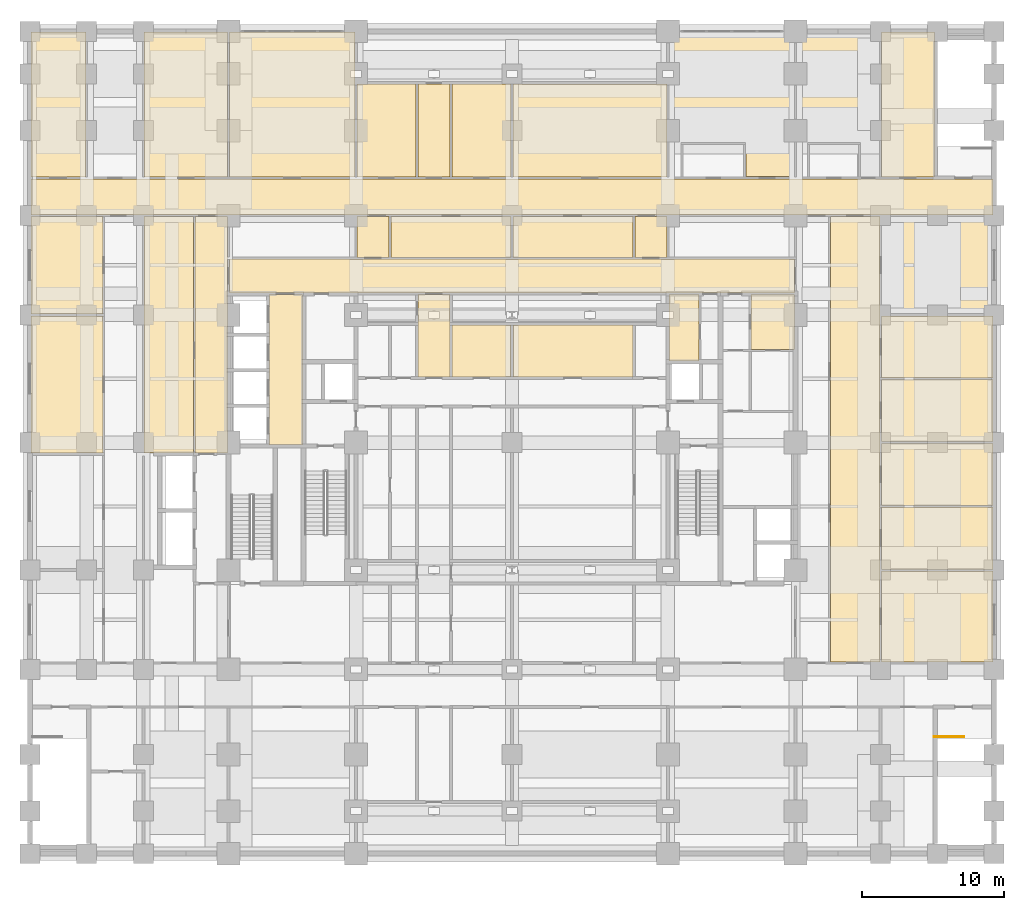
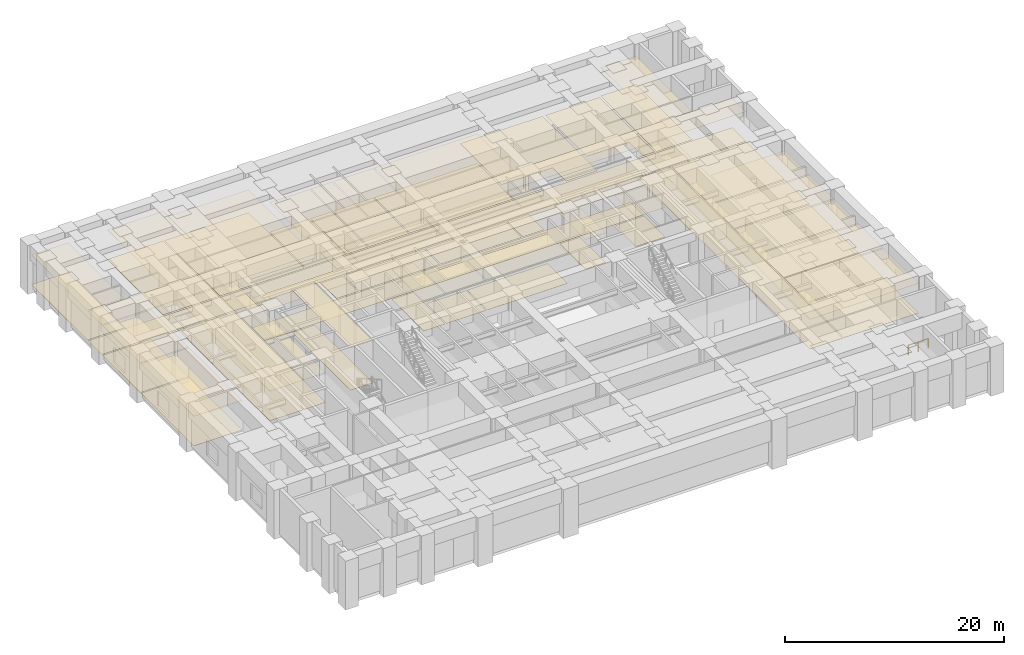
# One storey, part 21 of 22: 63 coverings, 1 railing.
"""IFC4 building model written with IfcOpenShell, lengths in metres."""

import ifcopenshell
import ifcopenshell.guid

model = None  # the IFC model being written
_history = None  # IfcOwnerHistory: only IFC2X3 demands one
_inside = {}  # id of a spatial element -> (the spatial element, [elements in it])
_under = {}  # id of a project, library or spatial element -> (it, [spatial elements below it])
_declared = {}  # id of a project -> (the project, [libraries it declares])
_typed = {}  # id of a type object -> (the type object, [elements of that type])
_made_of = {}  # id of a material, layer set ... -> (it, [elements and type objects made of it])


def new_model(schema):
    """Start an empty IFC model of exactly this schema.

    Asked for "IFC4X3", IfcOpenShell would pick the latest addendum, in which some entities
    have other attributes; the version numbers below select the first issue.
    IFC2X3 requires an IfcOwnerHistory on every rooted entity: one is made here for all.
    """
    global model, _history
    if schema == "IFC4X3":
        model = ifcopenshell.file(schema_version=(4, 3, 0, 0))
    else:
        model = ifcopenshell.file(schema=schema)
    _inside.clear()
    _under.clear()
    _declared.clear()
    _typed.clear()
    _made_of.clear()
    _history = None
    if model.schema == "IFC2X3":
        org = make("IfcOrganization", Name="unknown")
        user = make(
            "IfcPersonAndOrganization",
            ThePerson=make("IfcPerson", FamilyName="unknown"),
            TheOrganization=org,
        )
        app = make(
            "IfcApplication",
            ApplicationDeveloper=org,
            Version="unknown",
            ApplicationFullName="unknown",
            ApplicationIdentifier="unknown",
        )
        _history = make(
            "IfcOwnerHistory",
            OwningUser=user,
            OwningApplication=app,
            ChangeAction="ADDED",
            CreationDate=0,
        )
    return model


def make(cls, **values):
    """One entity of the class cls with the attributes given. An attribute that is None is left unset."""
    return model.create_entity(
        cls, **{name: value for name, value in values.items() if value is not None}
    )


def rooted(cls, **values):
    """An entity with a GlobalId (a new one), such as an element, a storey or a relation."""
    return make(cls, GlobalId=ifcopenshell.guid.new(), OwnerHistory=_history, **values)


def si_unit(unit_type, name, prefix=None):
    """IfcSIUnit, for example si_unit("LENGTHUNIT", "METRE", prefix="MILLI")."""
    return make("IfcSIUnit", UnitType=unit_type, Prefix=prefix, Name=name)


def assignment(units):
    """IfcUnitAssignment: the units of a project."""
    return None if units is None else make("IfcUnitAssignment", Units=units)


def point(xyz):
    """IfcCartesianPoint."""
    return None if xyz is None else make("IfcCartesianPoint", Coordinates=xyz)


def direction(xyz):
    """IfcDirection."""
    return None if xyz is None else make("IfcDirection", DirectionRatios=xyz)


def frame(location, z_axis=None, x_axis=None):
    """IfcAxis2Placement3D, a coordinate frame: its origin and axes. An axis left out is left unset."""
    return make(
        "IfcAxis2Placement3D",
        Location=point(location),
        Axis=direction(z_axis),
        RefDirection=direction(x_axis),
    )


def frame_2d(location, x_axis=None):
    """IfcAxis2Placement2D, a coordinate frame in the plane: its origin and x axis."""
    return make(
        "IfcAxis2Placement2D", Location=point(location), RefDirection=direction(x_axis)
    )


def origin():
    """The frame at (0, 0, 0) with its axes left unset."""
    return frame((0.0, 0.0, 0.0))


def origin_2d():
    """The frame at (0, 0) in the plane with its x axis left unset."""
    return frame_2d((0.0, 0.0))


def place(relative_to, where):
    """IfcLocalPlacement: puts the frame where relative to a parent placement (None: the world)."""
    return make(
        "IfcLocalPlacement", PlacementRelTo=relative_to, RelativePlacement=where
    )


def context(
    kind, dimensions, precision=None, world=None, true_north=None, identifier=None
):
    """IfcGeometricRepresentationContext, for example the 3D "Model" context."""
    return make(
        "IfcGeometricRepresentationContext",
        ContextIdentifier=identifier,
        ContextType=kind,
        CoordinateSpaceDimension=dimensions,
        Precision=precision,
        WorldCoordinateSystem=world,
        TrueNorth=true_north,
    )


def subcontext(parent, identifier, kind, view, scale=None):
    """IfcGeometricRepresentationSubContext, for example "Body" below "Model"."""
    return make(
        "IfcGeometricRepresentationSubContext",
        ContextIdentifier=identifier,
        ContextType=kind,
        ParentContext=parent,
        TargetScale=scale,
        TargetView=view,
    )


def project(units=None, contexts=None):
    """IfcProject with its units and contexts."""
    return rooted(
        "IfcProject",
        Name="project",
        RepresentationContexts=contexts,
        UnitsInContext=assignment(units),
    )


def spatial(cls, under=None, at=None, **own):
    """A site, building, storey or space (cls), placed at a placement, below another one or the project."""
    s = rooted(cls, ObjectPlacement=at, **own)
    if under is not None:
        _under.setdefault(under.id(), (under, []))[1].append(s)
    return s


def polyline(points):
    """IfcPolyline through the points."""
    return make("IfcPolyline", Points=[point(p) for p in points])


def profile(cls, at=None, kind="AREA", **sizes):
    """A parametric profile (cls). Its sizes go by their IFC names, for example OverallWidth=200.0."""
    return make(cls, ProfileType=kind, Position=at, **sizes)


def rectangle(**sizes):
    """IfcRectangleProfileDef."""
    return profile("IfcRectangleProfileDef", **sizes)


def outline(outer, holes=None, kind="AREA"):
    """IfcArbitraryClosedProfileDef: a profile drawn as a closed curve; with holes, ...WithVoids."""
    if holes is None:
        return make("IfcArbitraryClosedProfileDef", ProfileType=kind, OuterCurve=outer)
    return make(
        "IfcArbitraryProfileDefWithVoids",
        ProfileType=kind,
        OuterCurve=outer,
        InnerCurves=holes,
    )


def extrude(swept, where, along, depth):
    """IfcExtrudedAreaSolid: the profile swept, set in the frame where, extruded along a direction by depth."""
    return make(
        "IfcExtrudedAreaSolid",
        SweptArea=swept,
        Position=where,
        ExtrudedDirection=direction(along),
        Depth=depth,
    )


def shape(context_of_items, identifier, shape_type, items):
    """IfcShapeRepresentation: the items that make up one representation, for example the "Body"."""
    return make(
        "IfcShapeRepresentation",
        ContextOfItems=context_of_items,
        RepresentationIdentifier=identifier,
        RepresentationType=shape_type,
        Items=items,
    )


def material(Name=None, Category=None):
    """IfcMaterial."""
    return make("IfcMaterial", Name=Name, Category=Category)


def layer(
    of_material, thickness, ventilated=None, Name=None, Category=None, Priority=None
):
    """IfcMaterialLayer: one layer of a wall or slab, of a material (None: an air gap)."""
    return make(
        "IfcMaterialLayer",
        Material=of_material,
        LayerThickness=thickness,
        IsVentilated=ventilated,
        Name=Name,
        Category=Category,
        Priority=Priority,
    )


def layer_set(layers, Name=None):
    """IfcMaterialLayerSet."""
    return make("IfcMaterialLayerSet", MaterialLayers=layers, LayerSetName=Name)


def made_of(thing, what):
    """Note that an element or type object is made of a material, layer set ...; save() writes the relation."""
    if what is not None:
        _made_of.setdefault(what.id(), (what, []))[1].append(thing)
    return thing


def type_object(cls, material=None, **own):
    """A type object (cls), such as IfcWallType, which elements share."""
    return made_of(rooted(cls, **own), material)


def element(
    cls,
    number,
    at=None,
    inside=None,
    cuts=None,
    type_object=None,
    material=None,
    context=None,
    identifier="Body",
    shape_type=None,
    held_by="IfcProductDefinitionShape",
    body=None,
    shapes=None,
    **own,
):
    """One element of the class cls, such as IfcWall. Its Tag is "e" and its number.

    at: its placement. inside: the storey or other place that contains it. cuts: it is an
    opening in that element (IfcRelVoidsElement). A single representation is given by context,
    identifier, shape_type and body (its items); several are given by shapes. held_by: the class
    of the entity that holds the representations. save() writes the other relations.
    """
    e = rooted(cls, Tag="e%d" % number, ObjectPlacement=at, **own)
    if body is not None:
        shapes = [shape(context, identifier, shape_type, body)]
    if shapes is not None:
        e.Representation = make(held_by, Representations=shapes)
    if inside is not None:
        _inside.setdefault(inside.id(), (inside, []))[1].append(e)
    if cuts is not None:
        rooted(
            "IfcRelVoidsElement", RelatingBuildingElement=cuts, RelatedOpeningElement=e
        )
    if type_object is not None:
        _typed.setdefault(type_object.id(), (type_object, []))[1].append(e)
    return made_of(e, material)


def aggregate(whole, parts):
    """IfcRelAggregates: a whole, such as a stair, and the parts it consists of."""
    return rooted("IfcRelAggregates", RelatingObject=whole, RelatedObjects=parts)


def save(model, path):
    """Write the relations noted so far, then the file.

    IfcRelAggregates (storeys below a building ...), IfcRelContainedInSpatialStructure (elements
    in a storey), IfcRelDefinesByType, IfcRelAssociatesMaterial and IfcRelDeclares: one each for
    every whole, place, type object, material and project.
    """
    for whole, parts in _under.values():
        aggregate(whole, parts)
    for where, things in _inside.values():
        rooted(
            "IfcRelContainedInSpatialStructure",
            RelatedElements=things,
            RelatingStructure=where,
        )
    for kind, things in _typed.values():
        rooted("IfcRelDefinesByType", RelatedObjects=things, RelatingType=kind)
    for what, things in _made_of.values():
        rooted("IfcRelAssociatesMaterial", RelatedObjects=things, RelatingMaterial=what)
    for by, libraries in _declared.values():
        rooted("IfcRelDeclares", RelatingContext=by, RelatedDefinitions=libraries)
    model.write(path)


model = new_model("IFC4")

# Units and contexts
model_context = context("Model", 3, precision=1e-05, world=origin(), true_north=direction((0.0, 1.0)))
body_context = subcontext(model_context, "Body", "Model", "MODEL_VIEW")
ifc_project = project(units=[si_unit("LENGTHUNIT", "METRE"), si_unit("AREAUNIT", "SQUARE_METRE"), si_unit("VOLUMEUNIT", "CUBIC_METRE"), si_unit("PLANEANGLEUNIT", "RADIAN"), si_unit("MASSUNIT", "GRAM", prefix="KILO")], contexts=[model_context])

# Site, building, storey
site_placement = place(None, origin())
site = spatial("IfcSite", under=ifc_project, at=site_placement, CompositionType="ELEMENT")
building_placement = place(site_placement, origin())
building = spatial("IfcBuilding", under=site, at=building_placement, Name="Zulmaris Gate Convention Tower", CompositionType="ELEMENT")
storey_placement = place(building_placement, frame((0.0, 0.0, 21.760009765625)))
storey = spatial("IfcBuildingStorey", under=building, at=storey_placement, Name="L04", CompositionType="ELEMENT", Elevation=21.760009765625)

# Coverings
ifc_material_1 = material(Name="Mineral Fibre Acoustic Ceiling Tile")
ifc_layer_1 = layer(ifc_material_1, 0.02001953125, Name="Mineral Fibre Acoustic Ceiling Tile")
ifc_layer_set_1 = layer_set([ifc_layer_1], Name="Mineral Fibre Acoustic Ceiling Tile")
covering_type_1 = type_object("IfcCoveringType", Name="CLG-ACOUSTIC-600", PredefinedType="CEILING", material=ifc_layer_set_1)
covering_1_placement = place(storey_placement, frame((0.0, 0.0, 3.300048828125)))
element("IfcCovering", 1, at=covering_1_placement, inside=storey, type_object=covering_type_1, Name="CLG-L04-R12", PredefinedType="CEILING", context=body_context, shape_type="SweptSolid", body=[
    extrude(outline(polyline([(11.06005859375, 5.760009765625), (13.18994140625, 5.760009765625), (13.18994140625, 10.43994140625), (11.06005859375, 10.43994140625), (11.06005859375, 5.760009765625)])), origin(), (0.0, 0.0, 1.0), 0.02001953125),
])
covering_2_placement = place(storey_placement, frame((0.0, 0.0, 4.7099609375)))
element("IfcCovering", 2, at=covering_2_placement, inside=storey, type_object=covering_type_1, Name="CLG-L04-R16", PredefinedType="CEILING", context=body_context, shape_type="SweptSolid", body=[
    extrude(outline(polyline([(-17.139892578125, -0.18994140625), (-14.760009765625, -0.18994140625), (-14.760009765625, 10.43994140625), (-17.139892578125, 10.43994140625), (-17.139892578125, -0.18994140625)])), origin(), (0.0, 0.0, 1.0), 0.02001953125),
])
covering_3_placement = place(storey_placement, frame((0.0, 0.0, 3.300048828125)))
element("IfcCovering", 3, at=covering_3_placement, inside=storey, type_object=covering_type_1, Name="CLG-L04-R27", PredefinedType="CEILING", context=body_context, shape_type="SweptSolid", body=[
    extrude(outline(polyline([(16.860107421875, 6.56005859375), (19.93994140625, 6.56005859375), (19.93994140625, 10.43994140625), (16.860107421875, 10.43994140625), (16.860107421875, 6.56005859375)])), origin(), (0.0, 0.0, 1.0), 0.02001953125),
])
covering_4_placement = place(storey_placement, frame((0.0, 0.0, 3.300048828125)))
element("IfcCovering", 4, at=covering_4_placement, inside=storey, type_object=covering_type_1, Name="CLG-L04-R40", PredefinedType="CEILING", context=body_context, shape_type="SweptSolid", body=[
    extrude(outline(polyline([(-10.93994140625, 13.06005859375), (-8.659912109375, 13.06005859375), (-8.659912109375, 15.93994140625), (-10.93994140625, 15.93994140625), (-10.93994140625, 13.06005859375)])), origin(), (0.0, 0.0, 1.0), 0.02001953125),
])
covering_5_placement = place(storey_placement, frame((0.0, 0.0, 3.300048828125)))
element("IfcCovering", 5, at=covering_5_placement, inside=storey, type_object=covering_type_1, Name="CLG-L04-R41", PredefinedType="CEILING", context=body_context, shape_type="SweptSolid", body=[
    extrude(outline(polyline([(8.659912109375, 13.06005859375), (10.93994140625, 13.06005859375), (10.93994140625, 15.93994140625), (8.659912109375, 15.93994140625), (8.659912109375, 13.06005859375)])), origin(), (0.0, 0.0, 1.0), 0.02001953125),
])
covering_6_placement = place(storey_placement, frame((0.0, 0.0, 3.300048828125)))
element("IfcCovering", 6, at=covering_6_placement, inside=storey, type_object=covering_type_1, Name="CLG-L04-R42", PredefinedType="CEILING", context=body_context, shape_type="SweptSolid", body=[
    extrude(outline(polyline([(-33.93994140625, 16.06005859375), (33.93994140625, 16.06005859375), (33.93994140625, 18.590087890625), (-33.93994140625, 18.590087890625), (-33.93994140625, 16.06005859375)])), origin(), (0.0, 0.0, 1.0), 0.02001953125),
])
covering_7_placement = place(storey_placement, frame((0.0, 0.0, 3.300048828125)))
element("IfcCovering", 7, at=covering_7_placement, inside=storey, type_object=covering_type_1, Name="CLG-L04-R43", PredefinedType="CEILING", context=body_context, shape_type="SweptSolid", body=[
    extrude(outline(polyline([(-19.93994140625, 10.56005859375), (19.93994140625, 10.56005859375), (19.93994140625, 12.93994140625), (-19.93994140625, 12.93994140625), (-19.93994140625, 10.56005859375)])), origin(), (0.0, 0.0, 1.0), 0.02001953125),
])
covering_8_placement = place(storey_placement, frame((0.0, 0.0, 3.300048828125)))
element("IfcCovering", 8, at=covering_8_placement, inside=storey, type_object=covering_type_1, Name="CLG-L04-R44", PredefinedType="CEILING", context=body_context, shape_type="SweptSolid", body=[
    extrude(outline(polyline([(-22.340087890625, -0.739990234375), (-20.06005859375, -0.739990234375), (-20.06005859375, 15.93994140625), (-22.340087890625, 15.93994140625), (-22.340087890625, -0.739990234375)])), origin(), (0.0, 0.0, 1.0), 0.02001953125),
])
covering_9_placement = place(storey_placement, frame((0.0, 0.0, 3.300048828125)))
element("IfcCovering", 9, at=covering_9_placement, inside=storey, type_object=covering_type_1, Name="CLG-L04-R45", PredefinedType="CEILING", context=body_context, shape_type="SweptSolid", body=[
    extrude(outline(polyline([(-25.93994140625, -0.739990234375), (-22.4599609375, -0.739990234375), (-22.4599609375, 15.93994140625), (-25.93994140625, 15.93994140625), (-25.93994140625, -0.739990234375)])), origin(), (0.0, 0.0, 1.0), 0.02001953125),
])
covering_10_placement = place(storey_placement, frame((0.0, 0.0, 3.300048828125)))
element("IfcCovering", 10, at=covering_10_placement, inside=storey, type_object=covering_type_1, Name="CLG-L04-R52", PredefinedType="CEILING", context=body_context, shape_type="SweptSolid", body=[
    extrude(outline(polyline([(-8.5400390625, 13.06005859375), (-0.06005859375, 13.06005859375), (-0.06005859375, 15.93994140625), (-8.5400390625, 15.93994140625), (-8.5400390625, 13.06005859375)])), origin(), (0.0, 0.0, 1.0), 0.02001953125),
])
covering_11_placement = place(storey_placement, frame((0.0, 0.0, 3.300048828125)))
element("IfcCovering", 11, at=covering_11_placement, inside=storey, type_object=covering_type_1, Name="CLG-L04-R53", PredefinedType="CEILING", context=body_context, shape_type="SweptSolid", body=[
    extrude(outline(polyline([(0.06005859375, 13.06005859375), (8.5400390625, 13.06005859375), (8.5400390625, 15.93994140625), (0.06005859375, 15.93994140625), (0.06005859375, 13.06005859375)])), origin(), (0.0, 0.0, 1.0), 0.02001953125),
])
covering_12_placement = place(storey_placement, frame((0.0, 0.0, 3.300048828125)))
element("IfcCovering", 12, at=covering_12_placement, inside=storey, type_object=covering_type_1, Name="CLG-L04-R54", PredefinedType="CEILING", context=body_context, shape_type="SweptSolid", body=[
    extrude(outline(polyline([(-6.639892578125, 18.7099609375), (-4.360107421875, 18.7099609375), (-4.360107421875, 25.2900390625), (-6.639892578125, 25.2900390625), (-6.639892578125, 18.7099609375)])), origin(), (0.0, 0.0, 1.0), 0.02001953125),
])
covering_13_placement = place(storey_placement, frame((0.0, 0.0, 3.300048828125)))
element("IfcCovering", 13, at=covering_13_placement, inside=storey, type_object=covering_type_1, Name="CLG-L04-R56", PredefinedType="CEILING", context=body_context, shape_type="SweptSolid", body=[
    extrude(outline(polyline([(-10.93994140625, 18.7099609375), (-6.760009765625, 18.7099609375), (-6.760009765625, 25.2900390625), (-10.93994140625, 25.2900390625), (-10.93994140625, 18.7099609375)])), origin(), (0.0, 0.0, 1.0), 0.02001953125),
])
covering_14_placement = place(storey_placement, frame((0.0, 0.0, 3.300048828125)))
element("IfcCovering", 14, at=covering_14_placement, inside=storey, type_object=covering_type_1, Name="CLG-L04-R57", PredefinedType="CEILING", context=body_context, shape_type="SweptSolid", body=[
    extrude(outline(polyline([(-4.239990234375, 18.7099609375), (-0.06005859375, 18.7099609375), (-0.06005859375, 25.2900390625), (-4.239990234375, 25.2900390625), (-4.239990234375, 18.7099609375)])), origin(), (0.0, 0.0, 1.0), 0.02001953125),
])
covering_15_placement = place(storey_placement, frame((0.0, 0.0, 3.300048828125)))
element("IfcCovering", 15, at=covering_15_placement, inside=storey, type_object=covering_type_1, Name="CLG-L04-R58", PredefinedType="CEILING", context=body_context, shape_type="SweptSolid", body=[
    extrude(outline(polyline([(0.06005859375, 18.7099609375), (10.93994140625, 18.7099609375), (10.93994140625, 25.2900390625), (0.06005859375, 25.2900390625), (0.06005859375, 18.7099609375)])), origin(), (0.0, 0.0, 1.0), 0.02001953125),
])
covering_16_placement = place(storey_placement, frame((0.0, 0.0, 3.300048828125)))
element("IfcCovering", 16, at=covering_16_placement, inside=storey, type_object=covering_type_1, Name="CLG-L04-R59", PredefinedType="CEILING", context=body_context, shape_type="SweptSolid", body=[
    extrude(outline(polyline([(-33.93994140625, 18.7099609375), (-30.06005859375, 18.7099609375), (-30.06005859375, 28.93994140625), (-33.93994140625, 28.93994140625), (-33.93994140625, 18.7099609375)])), origin(), (0.0, 0.0, 1.0), 0.02001953125),
])
covering_17_placement = place(storey_placement, frame((0.0, 0.0, 3.300048828125)))
element("IfcCovering", 17, at=covering_17_placement, inside=storey, type_object=covering_type_1, Name="CLG-L04-R61", PredefinedType="CEILING", context=body_context, shape_type="SweptSolid", body=[
    extrude(outline(polyline([(-25.93994140625, 18.7099609375), (-20.06005859375, 18.7099609375), (-20.06005859375, 28.93994140625), (-25.93994140625, 28.93994140625), (-25.93994140625, 18.7099609375)])), origin(), (0.0, 0.0, 1.0), 0.02001953125),
])
covering_18_placement = place(storey_placement, frame((0.0, 0.0, 2.550048828125)))
element("IfcCovering", 18, at=covering_18_placement, inside=storey, type_object=covering_type_1, Name="CLG-L04-R62", PredefinedType="CEILING", context=body_context, shape_type="SweptSolid", body=[
    extrude(outline(polyline([(-19.93994140625, 18.7099609375), (-11.06005859375, 18.7099609375), (-11.06005859375, 28.93994140625), (-19.93994140625, 28.93994140625), (-19.93994140625, 18.7099609375)])), origin(), (0.0, 0.0, 1.0), 0.02001953125),
])
covering_19_placement = place(storey_placement, frame((0.0, 0.0, 3.14990234375)))
element("IfcCovering", 19, at=covering_19_placement, inside=storey, type_object=covering_type_1, Name="CLG-L04-R63", PredefinedType="CEILING", context=body_context, shape_type="SweptSolid", body=[
    extrude(outline(polyline([(26.06005859375, 18.7099609375), (29.7900390625, 18.7099609375), (29.7900390625, 28.93994140625), (26.06005859375, 28.93994140625), (26.06005859375, 18.7099609375)])), origin(), (0.0, 0.0, 1.0), 0.02001953125),
])
covering_20_placement = place(storey_placement, frame((0.0, 0.0, 3.300048828125)))
element("IfcCovering", 20, at=covering_20_placement, inside=storey, type_object=covering_type_1, Name="CLG-L04-R71", PredefinedType="CEILING", context=body_context, shape_type="SweptSolid", body=[
    extrude(outline(polyline([(-33.93994140625, -0.739990234375), (-28.860107421875, -0.739990234375), (-28.860107421875, 8.93994140625), (-33.93994140625, 8.93994140625), (-33.93994140625, -0.739990234375)])), origin(), (0.0, 0.0, 1.0), 0.02001953125),
])
covering_21_placement = place(storey_placement, frame((0.0, 0.0, 3.300048828125)))
element("IfcCovering", 21, at=covering_21_placement, inside=storey, type_object=covering_type_1, Name="CLG-L04-R72", PredefinedType="CEILING", context=body_context, shape_type="SweptSolid", body=[
    extrude(outline(polyline([(-33.93994140625, 9.06005859375), (-28.860107421875, 9.06005859375), (-28.860107421875, 15.93994140625), (-33.93994140625, 15.93994140625), (-33.93994140625, 9.06005859375)])), origin(), (0.0, 0.0, 1.0), 0.02001953125),
])
covering_22_placement = place(storey_placement, frame((0.0, 0.0, 3.300048828125)))
element("IfcCovering", 22, at=covering_22_placement, inside=storey, type_object=covering_type_1, Name="CLG-L04-R73", PredefinedType="CEILING", context=body_context, shape_type="SweptSolid", body=[
    extrude(outline(polyline([(22.4599609375, -15.489990234375), (25.93994140625, -15.489990234375), (25.93994140625, 15.93994140625), (22.4599609375, 15.93994140625), (22.4599609375, -15.489990234375)])), origin(), (0.0, 0.0, 1.0), 0.02001953125),
])
covering_23_placement = place(storey_placement, frame((0.0, 0.0, 3.300048828125)))
element("IfcCovering", 23, at=covering_23_placement, inside=storey, type_object=covering_type_1, Name="CLG-L04-R74", PredefinedType="CEILING", context=body_context, shape_type="SweptSolid", body=[
    extrude(outline(polyline([(26.06005859375, -15.489990234375), (33.93994140625, -15.489990234375), (33.93994140625, -9.06005859375), (26.06005859375, -9.06005859375), (26.06005859375, -15.489990234375)])), origin(), (0.0, 0.0, 1.0), 0.02001953125),
])
covering_24_placement = place(storey_placement, frame((0.0, 0.0, 3.300048828125)))
element("IfcCovering", 24, at=covering_24_placement, inside=storey, type_object=covering_type_1, Name="CLG-L04-R75", PredefinedType="CEILING", context=body_context, shape_type="SweptSolid", body=[
    extrude(outline(polyline([(26.06005859375, -8.93994140625), (33.93994140625, -8.93994140625), (33.93994140625, -4.56005859375), (26.06005859375, -4.56005859375), (26.06005859375, -8.93994140625)])), origin(), (0.0, 0.0, 1.0), 0.02001953125),
])
covering_25_placement = place(storey_placement, frame((0.0, 0.0, 3.300048828125)))
element("IfcCovering", 25, at=covering_25_placement, inside=storey, type_object=covering_type_1, Name="CLG-L04-R76", PredefinedType="CEILING", context=body_context, shape_type="SweptSolid", body=[
    extrude(outline(polyline([(26.06005859375, -4.43994140625), (33.93994140625, -4.43994140625), (33.93994140625, -0.06005859375), (26.06005859375, -0.06005859375), (26.06005859375, -4.43994140625)])), origin(), (0.0, 0.0, 1.0), 0.02001953125),
])
covering_26_placement = place(storey_placement, frame((0.0, 0.0, 3.300048828125)))
element("IfcCovering", 26, at=covering_26_placement, inside=storey, type_object=covering_type_1, Name="CLG-L04-R77", PredefinedType="CEILING", context=body_context, shape_type="SweptSolid", body=[
    extrude(outline(polyline([(26.06005859375, 0.06005859375), (33.93994140625, 0.06005859375), (33.93994140625, 4.43994140625), (26.06005859375, 4.43994140625), (26.06005859375, 0.06005859375)])), origin(), (0.0, 0.0, 1.0), 0.02001953125),
])
covering_27_placement = place(storey_placement, frame((0.0, 0.0, 3.300048828125)))
element("IfcCovering", 27, at=covering_27_placement, inside=storey, type_object=covering_type_1, Name="CLG-L04-R78", PredefinedType="CEILING", context=body_context, shape_type="SweptSolid", body=[
    extrude(outline(polyline([(26.06005859375, 4.56005859375), (33.93994140625, 4.56005859375), (33.93994140625, 8.93994140625), (26.06005859375, 8.93994140625), (26.06005859375, 4.56005859375)])), origin(), (0.0, 0.0, 1.0), 0.02001953125),
])
covering_28_placement = place(storey_placement, frame((0.0, 0.0, 3.300048828125)))
element("IfcCovering", 28, at=covering_28_placement, inside=storey, type_object=covering_type_1, Name="CLG-L04-R93", PredefinedType="CEILING", context=body_context, shape_type="SweptSolid", body=[
    extrude(outline(polyline([(-6.639892578125, 4.610107421875), (-4.360107421875, 4.610107421875), (-4.360107421875, 10.43994140625), (-6.639892578125, 10.43994140625), (-6.639892578125, 4.610107421875)])), origin(), (0.0, 0.0, 1.0), 0.02001953125),
])
covering_29_placement = place(storey_placement, frame((0.0, 0.0, 3.300048828125)))
element("IfcCovering", 29, at=covering_29_placement, inside=storey, type_object=covering_type_1, Name="CLG-L04-R104", PredefinedType="CEILING", context=body_context, shape_type="SweptSolid", body=[
    extrude(outline(polyline([(-4.239990234375, 4.610107421875), (-0.06005859375, 4.610107421875), (-0.06005859375, 8.2900390625), (-4.239990234375, 8.2900390625), (-4.239990234375, 4.610107421875)])), origin(), (0.0, 0.0, 1.0), 0.02001953125),
])
covering_30_placement = place(storey_placement, frame((0.0, 0.0, 3.300048828125)))
element("IfcCovering", 30, at=covering_30_placement, inside=storey, type_object=covering_type_1, Name="CLG-L04-R105", PredefinedType="CEILING", context=body_context, shape_type="SweptSolid", body=[
    extrude(outline(polyline([(0.06005859375, 4.610107421875), (8.5400390625, 4.610107421875), (8.5400390625, 8.2900390625), (0.06005859375, 8.2900390625), (0.06005859375, 4.610107421875)])), origin(), (0.0, 0.0, 1.0), 0.02001953125),
])
ifc_material_2 = material(Name="Woven Acoustic Wool Carpet Tile")
ifc_layer_2 = layer(ifc_material_2, 0.02001953125, Name="Woven Acoustic Wool Carpet Tile")
ifc_layer_set_2 = layer_set([ifc_layer_2], Name="Woven Acoustic Wool Carpet Tile")
covering_type_2 = type_object("IfcCoveringType", Name="FLR-CARPET-12", PredefinedType="FLOORING", material=ifc_layer_set_2)
covering_31_placement = place(storey_placement, origin())
element("IfcCovering", 31, at=covering_31_placement, inside=storey, type_object=covering_type_2, Name="FLR-L04-R12", PredefinedType="FLOORING", context=body_context, shape_type="SweptSolid", body=[
    extrude(outline(polyline([(11.06005859375, 5.760009765625), (13.18994140625, 5.760009765625), (13.18994140625, 10.43994140625), (11.06005859375, 10.43994140625), (11.06005859375, 5.760009765625)])), origin(), (0.0, 0.0, 1.0), 0.02001953125),
])
covering_32_placement = place(storey_placement, origin())
element("IfcCovering", 32, at=covering_32_placement, inside=storey, type_object=covering_type_2, Name="FLR-L04-R16", PredefinedType="FLOORING", context=body_context, shape_type="SweptSolid", body=[
    extrude(outline(polyline([(-17.139892578125, -0.18994140625), (-14.760009765625, -0.18994140625), (-14.760009765625, 10.43994140625), (-17.139892578125, 10.43994140625), (-17.139892578125, -0.18994140625)])), origin(), (0.0, 0.0, 1.0), 0.02001953125),
])
covering_33_placement = place(storey_placement, origin())
element("IfcCovering", 33, at=covering_33_placement, inside=storey, type_object=covering_type_2, Name="FLR-L04-R27", PredefinedType="FLOORING", context=body_context, shape_type="SweptSolid", body=[
    extrude(outline(polyline([(16.860107421875, 6.56005859375), (19.93994140625, 6.56005859375), (19.93994140625, 10.43994140625), (16.860107421875, 10.43994140625), (16.860107421875, 6.56005859375)])), origin(), (0.0, 0.0, 1.0), 0.02001953125),
])
covering_34_placement = place(storey_placement, origin())
element("IfcCovering", 34, at=covering_34_placement, inside=storey, type_object=covering_type_2, Name="FLR-L04-R40", PredefinedType="FLOORING", context=body_context, shape_type="SweptSolid", body=[
    extrude(outline(polyline([(-10.93994140625, 13.06005859375), (-8.659912109375, 13.06005859375), (-8.659912109375, 15.93994140625), (-10.93994140625, 15.93994140625), (-10.93994140625, 13.06005859375)])), origin(), (0.0, 0.0, 1.0), 0.02001953125),
])
covering_35_placement = place(storey_placement, origin())
element("IfcCovering", 35, at=covering_35_placement, inside=storey, type_object=covering_type_2, Name="FLR-L04-R41", PredefinedType="FLOORING", context=body_context, shape_type="SweptSolid", body=[
    extrude(outline(polyline([(8.659912109375, 13.06005859375), (10.93994140625, 13.06005859375), (10.93994140625, 15.93994140625), (8.659912109375, 15.93994140625), (8.659912109375, 13.06005859375)])), origin(), (0.0, 0.0, 1.0), 0.02001953125),
])
covering_36_placement = place(storey_placement, origin())
element("IfcCovering", 36, at=covering_36_placement, inside=storey, type_object=covering_type_2, Name="FLR-L04-R42", PredefinedType="FLOORING", context=body_context, shape_type="SweptSolid", body=[
    extrude(outline(polyline([(-33.93994140625, 16.06005859375), (33.93994140625, 16.06005859375), (33.93994140625, 18.590087890625), (-33.93994140625, 18.590087890625), (-33.93994140625, 16.06005859375)])), origin(), (0.0, 0.0, 1.0), 0.02001953125),
])
covering_37_placement = place(storey_placement, origin())
element("IfcCovering", 37, at=covering_37_placement, inside=storey, type_object=covering_type_2, Name="FLR-L04-R43", PredefinedType="FLOORING", context=body_context, shape_type="SweptSolid", body=[
    extrude(outline(polyline([(-19.93994140625, 10.56005859375), (19.93994140625, 10.56005859375), (19.93994140625, 12.93994140625), (-19.93994140625, 12.93994140625), (-19.93994140625, 10.56005859375)])), origin(), (0.0, 0.0, 1.0), 0.02001953125),
])
covering_38_placement = place(storey_placement, origin())
element("IfcCovering", 38, at=covering_38_placement, inside=storey, type_object=covering_type_2, Name="FLR-L04-R44", PredefinedType="FLOORING", context=body_context, shape_type="SweptSolid", body=[
    extrude(outline(polyline([(-22.340087890625, -0.739990234375), (-20.06005859375, -0.739990234375), (-20.06005859375, 15.93994140625), (-22.340087890625, 15.93994140625), (-22.340087890625, -0.739990234375)])), origin(), (0.0, 0.0, 1.0), 0.02001953125),
])
covering_39_placement = place(storey_placement, origin())
element("IfcCovering", 39, at=covering_39_placement, inside=storey, type_object=covering_type_2, Name="FLR-L04-R54", PredefinedType="FLOORING", context=body_context, shape_type="SweptSolid", body=[
    extrude(outline(polyline([(-6.639892578125, 18.7099609375), (-4.360107421875, 18.7099609375), (-4.360107421875, 25.2900390625), (-6.639892578125, 25.2900390625), (-6.639892578125, 18.7099609375)])), origin(), (0.0, 0.0, 1.0), 0.02001953125),
])
covering_40_placement = place(storey_placement, origin())
element("IfcCovering", 40, at=covering_40_placement, inside=storey, type_object=covering_type_2, Name="FLR-L04-R59", PredefinedType="FLOORING", context=body_context, shape_type="SweptSolid", body=[
    extrude(outline(polyline([(-33.93994140625, 18.7099609375), (-30.06005859375, 18.7099609375), (-30.06005859375, 28.93994140625), (-33.93994140625, 28.93994140625), (-33.93994140625, 18.7099609375)])), origin(), (0.0, 0.0, 1.0), 0.02001953125),
])
covering_41_placement = place(storey_placement, origin())
element("IfcCovering", 41, at=covering_41_placement, inside=storey, type_object=covering_type_2, Name="FLR-L04-R63", PredefinedType="FLOORING", context=body_context, shape_type="SweptSolid", body=[
    extrude(outline(polyline([(26.06005859375, 18.7099609375), (29.7900390625, 18.7099609375), (29.7900390625, 28.93994140625), (26.06005859375, 28.93994140625), (26.06005859375, 18.7099609375)])), origin(), (0.0, 0.0, 1.0), 0.02001953125),
])
covering_42_placement = place(storey_placement, origin())
element("IfcCovering", 42, at=covering_42_placement, inside=storey, type_object=covering_type_2, Name="FLR-L04-R67", PredefinedType="FLOORING", context=body_context, shape_type="SweptSolid", body=[
    extrude(outline(polyline([(24.6201171875, 18.77001953125), (25.85009765625, 18.77001953125), (25.85009765625, 28.800048828125), (20.14990234375, 28.800048828125), (20.14990234375, 21.219970703125), (24.6201171875, 21.219970703125), (24.6201171875, 18.77001953125)])), origin(), (0.0, 0.0, 1.0), 0.02001953125),
])
covering_43_placement = place(storey_placement, origin())
element("IfcCovering", 43, at=covering_43_placement, inside=storey, type_object=covering_type_2, Name="FLR-L04-R73", PredefinedType="FLOORING", context=body_context, shape_type="SweptSolid", body=[
    extrude(outline(polyline([(22.4599609375, -15.489990234375), (25.93994140625, -15.489990234375), (25.93994140625, 15.93994140625), (22.4599609375, 15.93994140625), (22.4599609375, -15.489990234375)])), origin(), (0.0, 0.0, 1.0), 0.02001953125),
])
covering_44_placement = place(storey_placement, origin())
element("IfcCovering", 44, at=covering_44_placement, inside=storey, type_object=covering_type_2, Name="FLR-L04-R93", PredefinedType="FLOORING", context=body_context, shape_type="SweptSolid", body=[
    extrude(outline(polyline([(-6.639892578125, 4.610107421875), (-4.360107421875, 4.610107421875), (-4.360107421875, 10.43994140625), (-6.639892578125, 10.43994140625), (-6.639892578125, 4.610107421875)])), origin(), (0.0, 0.0, 1.0), 0.02001953125),
])
ifc_material_3 = material(Name="Polished Granite Terrazzo Tile", Category="masonry")
ifc_layer_3 = layer(ifc_material_3, 0.02001953125, Name="Polished Granite Terrazzo Tile")
ifc_layer_set_3 = layer_set([ifc_layer_3], Name="Polished Granite Terrazzo Tile")
covering_type_3 = type_object("IfcCoveringType", Name="FLR-TERRAZZO-30", PredefinedType="FLOORING", material=ifc_layer_set_3)
covering_45_placement = place(storey_placement, origin())
element("IfcCovering", 45, at=covering_45_placement, inside=storey, type_object=covering_type_3, Name="FLR-L04-R52", PredefinedType="FLOORING", context=body_context, shape_type="SweptSolid", body=[
    extrude(outline(polyline([(-8.5400390625, 13.06005859375), (-0.06005859375, 13.06005859375), (-0.06005859375, 15.93994140625), (-8.5400390625, 15.93994140625), (-8.5400390625, 13.06005859375)])), origin(), (0.0, 0.0, 1.0), 0.02001953125),
])
covering_46_placement = place(storey_placement, origin())
element("IfcCovering", 46, at=covering_46_placement, inside=storey, type_object=covering_type_3, Name="FLR-L04-R53", PredefinedType="FLOORING", context=body_context, shape_type="SweptSolid", body=[
    extrude(outline(polyline([(0.06005859375, 13.06005859375), (8.5400390625, 13.06005859375), (8.5400390625, 15.93994140625), (0.06005859375, 15.93994140625), (0.06005859375, 13.06005859375)])), origin(), (0.0, 0.0, 1.0), 0.02001953125),
])
covering_47_placement = place(storey_placement, origin())
element("IfcCovering", 47, at=covering_47_placement, inside=storey, type_object=covering_type_3, Name="FLR-L04-R104", PredefinedType="FLOORING", context=body_context, shape_type="SweptSolid", body=[
    extrude(outline(polyline([(-4.239990234375, 4.610107421875), (-0.06005859375, 4.610107421875), (-0.06005859375, 8.2900390625), (-4.239990234375, 8.2900390625), (-4.239990234375, 4.610107421875)])), origin(), (0.0, 0.0, 1.0), 0.02001953125),
])
covering_48_placement = place(storey_placement, origin())
element("IfcCovering", 48, at=covering_48_placement, inside=storey, type_object=covering_type_3, Name="FLR-L04-R105", PredefinedType="FLOORING", context=body_context, shape_type="SweptSolid", body=[
    extrude(outline(polyline([(0.06005859375, 4.610107421875), (8.5400390625, 4.610107421875), (8.5400390625, 8.2900390625), (0.06005859375, 8.2900390625), (0.06005859375, 4.610107421875)])), origin(), (0.0, 0.0, 1.0), 0.02001953125),
])
ifc_material_4 = material(Name="Engineered Teak Parquet Flooring")
ifc_layer_4 = layer(ifc_material_4, 0.02001953125, Name="Engineered Teak Parquet Flooring")
ifc_layer_set_4 = layer_set([ifc_layer_4], Name="Engineered Teak Parquet Flooring")
covering_type_4 = type_object("IfcCoveringType", Name="FLR-TIMBER-18", PredefinedType="FLOORING", material=ifc_layer_set_4)
covering_49_placement = place(storey_placement, origin())
element("IfcCovering", 49, at=covering_49_placement, inside=storey, type_object=covering_type_4, Name="FLR-L04-R45", PredefinedType="FLOORING", context=body_context, shape_type="SweptSolid", body=[
    extrude(outline(polyline([(-25.93994140625, -0.739990234375), (-22.4599609375, -0.739990234375), (-22.4599609375, 15.93994140625), (-25.93994140625, 15.93994140625), (-25.93994140625, -0.739990234375)])), origin(), (0.0, 0.0, 1.0), 0.02001953125),
])
covering_50_placement = place(storey_placement, origin())
element("IfcCovering", 50, at=covering_50_placement, inside=storey, type_object=covering_type_4, Name="FLR-L04-R56", PredefinedType="FLOORING", context=body_context, shape_type="SweptSolid", body=[
    extrude(outline(polyline([(-10.93994140625, 18.7099609375), (-6.760009765625, 18.7099609375), (-6.760009765625, 25.2900390625), (-10.93994140625, 25.2900390625), (-10.93994140625, 18.7099609375)])), origin(), (0.0, 0.0, 1.0), 0.02001953125),
])
covering_51_placement = place(storey_placement, origin())
element("IfcCovering", 51, at=covering_51_placement, inside=storey, type_object=covering_type_4, Name="FLR-L04-R57", PredefinedType="FLOORING", context=body_context, shape_type="SweptSolid", body=[
    extrude(outline(polyline([(-4.239990234375, 18.7099609375), (-0.06005859375, 18.7099609375), (-0.06005859375, 25.2900390625), (-4.239990234375, 25.2900390625), (-4.239990234375, 18.7099609375)])), origin(), (0.0, 0.0, 1.0), 0.02001953125),
])
covering_52_placement = place(storey_placement, origin())
element("IfcCovering", 52, at=covering_52_placement, inside=storey, type_object=covering_type_4, Name="FLR-L04-R58", PredefinedType="FLOORING", context=body_context, shape_type="SweptSolid", body=[
    extrude(outline(polyline([(0.06005859375, 18.7099609375), (10.93994140625, 18.7099609375), (10.93994140625, 25.2900390625), (0.06005859375, 25.2900390625), (0.06005859375, 18.7099609375)])), origin(), (0.0, 0.0, 1.0), 0.02001953125),
])
covering_53_placement = place(storey_placement, origin())
element("IfcCovering", 53, at=covering_53_placement, inside=storey, type_object=covering_type_4, Name="FLR-L04-R61", PredefinedType="FLOORING", context=body_context, shape_type="SweptSolid", body=[
    extrude(outline(polyline([(-25.93994140625, 18.7099609375), (-20.06005859375, 18.7099609375), (-20.06005859375, 28.93994140625), (-25.93994140625, 28.93994140625), (-25.93994140625, 18.7099609375)])), origin(), (0.0, 0.0, 1.0), 0.02001953125),
])
covering_54_placement = place(storey_placement, origin())
element("IfcCovering", 54, at=covering_54_placement, inside=storey, type_object=covering_type_4, Name="FLR-L04-R62", PredefinedType="FLOORING", context=body_context, shape_type="SweptSolid", body=[
    extrude(outline(polyline([(-19.93994140625, 18.7099609375), (-11.06005859375, 18.7099609375), (-11.06005859375, 28.93994140625), (-19.93994140625, 28.93994140625), (-19.93994140625, 18.7099609375)])), origin(), (0.0, 0.0, 1.0), 0.02001953125),
])
covering_55_placement = place(storey_placement, origin())
element("IfcCovering", 55, at=covering_55_placement, inside=storey, type_object=covering_type_4, Name="FLR-L04-R65", PredefinedType="FLOORING", context=body_context, shape_type="SweptSolid", body=[
    extrude(outline(polyline([(16.52001953125, 18.77001953125), (19.85009765625, 18.77001953125), (19.85009765625, 28.800048828125), (11.14990234375, 28.800048828125), (11.14990234375, 21.219970703125), (16.52001953125, 21.219970703125), (16.52001953125, 18.77001953125)])), origin(), (0.0, 0.0, 1.0), 0.02001953125),
])
covering_56_placement = place(storey_placement, origin())
element("IfcCovering", 56, at=covering_56_placement, inside=storey, type_object=covering_type_4, Name="FLR-L04-R71", PredefinedType="FLOORING", context=body_context, shape_type="SweptSolid", body=[
    extrude(outline(polyline([(-33.93994140625, -0.739990234375), (-28.860107421875, -0.739990234375), (-28.860107421875, 8.93994140625), (-33.93994140625, 8.93994140625), (-33.93994140625, -0.739990234375)])), origin(), (0.0, 0.0, 1.0), 0.02001953125),
])
covering_57_placement = place(storey_placement, origin())
element("IfcCovering", 57, at=covering_57_placement, inside=storey, type_object=covering_type_4, Name="FLR-L04-R72", PredefinedType="FLOORING", context=body_context, shape_type="SweptSolid", body=[
    extrude(outline(polyline([(-33.93994140625, 9.06005859375), (-28.860107421875, 9.06005859375), (-28.860107421875, 15.93994140625), (-33.93994140625, 15.93994140625), (-33.93994140625, 9.06005859375)])), origin(), (0.0, 0.0, 1.0), 0.02001953125),
])
covering_58_placement = place(storey_placement, origin())
element("IfcCovering", 58, at=covering_58_placement, inside=storey, type_object=covering_type_4, Name="FLR-L04-R74", PredefinedType="FLOORING", context=body_context, shape_type="SweptSolid", body=[
    extrude(outline(polyline([(26.06005859375, -15.489990234375), (33.93994140625, -15.489990234375), (33.93994140625, -9.06005859375), (26.06005859375, -9.06005859375), (26.06005859375, -15.489990234375)])), origin(), (0.0, 0.0, 1.0), 0.02001953125),
])
covering_59_placement = place(storey_placement, origin())
element("IfcCovering", 59, at=covering_59_placement, inside=storey, type_object=covering_type_4, Name="FLR-L04-R75", PredefinedType="FLOORING", context=body_context, shape_type="SweptSolid", body=[
    extrude(outline(polyline([(26.06005859375, -8.93994140625), (33.93994140625, -8.93994140625), (33.93994140625, -4.56005859375), (26.06005859375, -4.56005859375), (26.06005859375, -8.93994140625)])), origin(), (0.0, 0.0, 1.0), 0.02001953125),
])
covering_60_placement = place(storey_placement, origin())
element("IfcCovering", 60, at=covering_60_placement, inside=storey, type_object=covering_type_4, Name="FLR-L04-R76", PredefinedType="FLOORING", context=body_context, shape_type="SweptSolid", body=[
    extrude(outline(polyline([(26.06005859375, -4.43994140625), (33.93994140625, -4.43994140625), (33.93994140625, -0.06005859375), (26.06005859375, -0.06005859375), (26.06005859375, -4.43994140625)])), origin(), (0.0, 0.0, 1.0), 0.02001953125),
])
covering_61_placement = place(storey_placement, origin())
element("IfcCovering", 61, at=covering_61_placement, inside=storey, type_object=covering_type_4, Name="FLR-L04-R77", PredefinedType="FLOORING", context=body_context, shape_type="SweptSolid", body=[
    extrude(outline(polyline([(26.06005859375, 0.06005859375), (33.93994140625, 0.06005859375), (33.93994140625, 4.43994140625), (26.06005859375, 4.43994140625), (26.06005859375, 0.06005859375)])), origin(), (0.0, 0.0, 1.0), 0.02001953125),
])
covering_62_placement = place(storey_placement, origin())
element("IfcCovering", 62, at=covering_62_placement, inside=storey, type_object=covering_type_4, Name="FLR-L04-R78", PredefinedType="FLOORING", context=body_context, shape_type="SweptSolid", body=[
    extrude(outline(polyline([(26.06005859375, 4.56005859375), (33.93994140625, 4.56005859375), (33.93994140625, 8.93994140625), (26.06005859375, 8.93994140625), (26.06005859375, 4.56005859375)])), origin(), (0.0, 0.0, 1.0), 0.02001953125),
])
covering_63_placement = place(storey_placement, origin())
element("IfcCovering", 63, at=covering_63_placement, inside=storey, type_object=covering_type_4, Name="FLR-L04-R79", PredefinedType="FLOORING", context=body_context, shape_type="SweptSolid", body=[
    extrude(outline(polyline([(26.06005859375, 9.06005859375), (33.93994140625, 9.06005859375), (33.93994140625, 15.93994140625), (26.06005859375, 15.93994140625), (26.06005859375, 9.06005859375)])), origin(), (0.0, 0.0, 1.0), 0.02001953125),
])

# Railing
ifc_material_5 = material(Name="Painted Galvanised Steel", Category="steel")
railing_type = type_object("IfcRailingType", Name="RL-STG-1150", PredefinedType="GUARDRAIL", material=ifc_material_5)
railing_placement = place(storey_placement, frame((29.780029296875, -20.75, 0.0)))
element("IfcRailing", 64, at=railing_placement, inside=storey, type_object=railing_type, Name="L04 ST-6 top well guard 1", PredefinedType="GUARDRAIL", context=body_context, shape_type="SweptSolid", body=[
    extrude(rectangle(XDim=0.048095703125, YDim=0.048095703125, at=origin_2d()), frame((0.0, 0.0, 1.076171875), z_axis=(1.0, 0.0, 0.0), x_axis=(0.0, 1.0, 0.0)), (0.0, 0.0, 1.0), 2.099853515625),
    extrude(rectangle(XDim=0.0419921875, YDim=0.0419921875, at=origin_2d()), origin(), (0.0, 0.0, 1.0), 1.052001953125),
    extrude(rectangle(XDim=0.0419921875, YDim=0.0419921875, at=origin_2d()), frame((1.0498046875, 0.0, 0.0)), (0.0, 0.0, 1.0), 1.052001953125),
    extrude(rectangle(XDim=0.0419921875, YDim=0.0419921875, at=origin_2d()), frame((2.099853515625, 0.0, 0.0)), (0.0, 0.0, 1.0), 1.052001953125),
])

save(model, "model.ifc")
